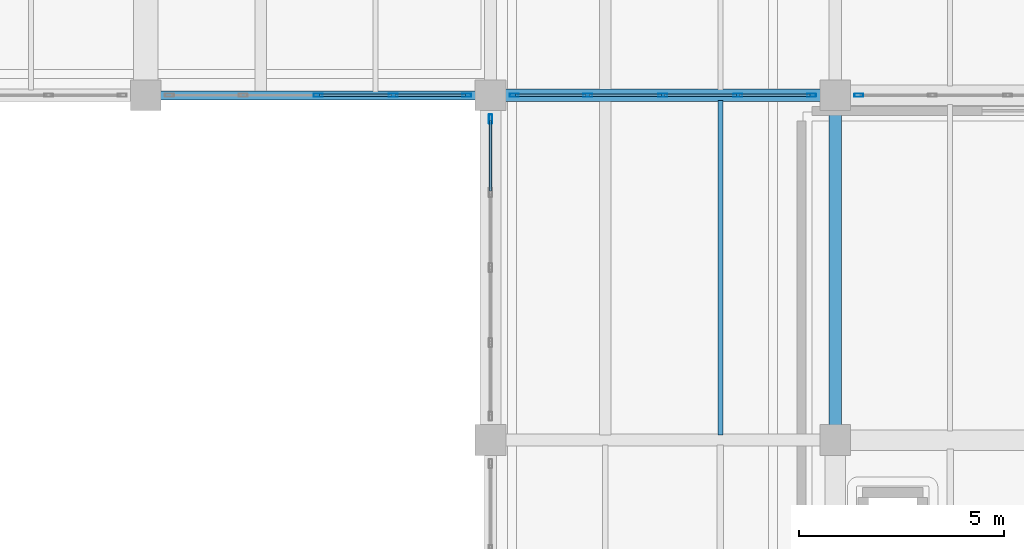
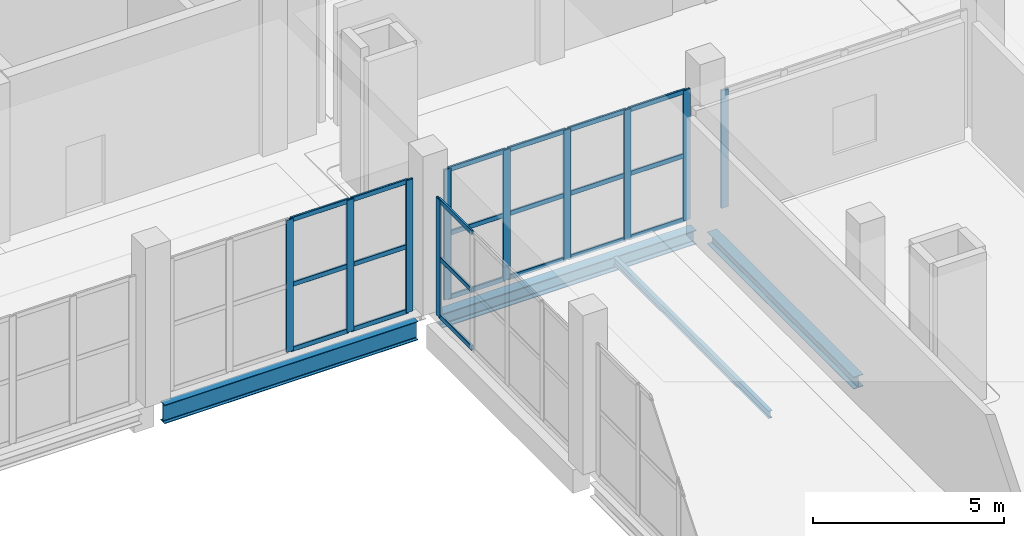
# One storey, part 23 of 66: 31 members, 4 beams, 4 elements without a shape of their own.
"""IFC4 building model written with IfcOpenShell, lengths in metres."""

from ifc_helpers import new_model, si_unit, direction, frame, origin, origin_2d, place, context, subcontext, project, spatial, hollow_rectangle, i_section, extrude, material, layer, layer_set, material_profile, profile_set, type_object, element, aggregate, save


model = new_model("IFC4")

# Units and contexts
model_context = context("Model", 3, precision=1e-05, world=origin(), true_north=direction((0.0, 1.0)))
body_context = subcontext(model_context, "Body", "Model", "MODEL_VIEW")
ifc_project = project(units=[si_unit("LENGTHUNIT", "METRE"), si_unit("AREAUNIT", "SQUARE_METRE"), si_unit("VOLUMEUNIT", "CUBIC_METRE"), si_unit("PLANEANGLEUNIT", "RADIAN"), si_unit("MASSUNIT", "GRAM", prefix="KILO")], contexts=[model_context])

# Site, building, storey
site_placement = place(None, origin())
site = spatial("IfcSite", under=ifc_project, at=site_placement, CompositionType="ELEMENT")
building_placement = place(site_placement, origin())
building = spatial("IfcBuilding", under=site, at=building_placement, Name="Zulmaris Art Gallery", CompositionType="ELEMENT")
storey_placement = place(building_placement, frame((0.0, 0.0, 5.39990234375)))
storey = spatial("IfcBuildingStorey", under=building, at=storey_placement, Name="L01", CompositionType="ELEMENT", Elevation=5.39990234375)

# Beams
ifc_material_1 = material(Name="Steel S355J2", Category="steel")
ifc_material_profile_1 = material_profile(ifc_material_1, i_section(OverallWidth=0.219970703125, OverallDepth=0.60009765625, WebThickness=0.011962890625, FlangeThickness=0.01904296875, FilletRadius=0.02392578125, at=origin_2d()), Name="IPE 600")
ifc_profile_set_1 = profile_set([ifc_material_profile_1], Name="Steel S355J2")
beam_type_1 = type_object("IfcBeamType", Name="BEAM-BM07", PredefinedType="BEAM", material=ifc_profile_set_1)
beam_1_placement = place(storey_placement, frame((116.760009765625, 58.800048828125, -0.6298828125), z_axis=(1.0, 0.0, 0.0), x_axis=(0.0, 1.0, 0.0)))
element("IfcBeam", 1, at=beam_1_placement, inside=storey, type_object=beam_type_1, Name="L01 X-girder (116.4..124.8, y=58.8)", PredefinedType="BEAM", context=body_context, shape_type="SweptSolid", body=[
    extrude(i_section(OverallWidth=0.219970703125, OverallDepth=0.60009765625, WebThickness=0.011962890625, FlangeThickness=0.01904296875, FilletRadius=0.02392578125, at=origin_2d()), origin(), (0.0, 0.0, 1.0), 7.679931640625),
])
ifc_material_profile_2 = material_profile(ifc_material_1, i_section(OverallWidth=0.300048828125, OverallDepth=0.389892578125, WebThickness=0.010986328125, FlangeThickness=0.01904296875, FilletRadius=0.027099609375, at=origin_2d()), Name="HEA 400")
ifc_profile_set_2 = profile_set([ifc_material_profile_2], Name="Steel S355J2")
beam_type_2 = type_object("IfcBeamType", Name="BEAM-BM09", PredefinedType="BEAM", material=ifc_profile_set_2)
beam_2_placement = place(storey_placement, frame((133.199951171875, 50.760009765625, -0.52490234375), z_axis=(0.0, 1.0, 0.0), x_axis=(-1.0, 0.0, 0.0)))
element("IfcBeam", 2, at=beam_2_placement, inside=storey, type_object=beam_type_2, Name="L01 Y-girder (x=133.2, 50.4..58.8)", PredefinedType="BEAM", context=body_context, shape_type="SweptSolid", body=[
    extrude(i_section(OverallWidth=0.300048828125, OverallDepth=0.389892578125, WebThickness=0.010986328125, FlangeThickness=0.01904296875, FilletRadius=0.027099609375, at=origin_2d()), origin(), (0.0, 0.0, 1.0), 7.679931640625),
])
ifc_material_profile_3 = material_profile(ifc_material_1, i_section(OverallWidth=0.300048828125, OverallDepth=0.449951171875, WebThickness=0.013916015625, FlangeThickness=0.02587890625, FilletRadius=0.027099609375, at=origin_2d()), Name="HEB 450")
ifc_profile_set_3 = profile_set([ifc_material_profile_3], Name="Steel S355J2")
beam_type_3 = type_object("IfcBeamType", Name="BEAM-BM13", PredefinedType="BEAM", material=ifc_profile_set_3)
beam_3_placement = place(storey_placement, frame((125.159912109375, 58.800048828125, -0.554931640625), z_axis=(1.0, 0.0, 0.0), x_axis=(0.0, 1.0, 0.0)))
element("IfcBeam", 3, at=beam_3_placement, inside=storey, type_object=beam_type_3, Name="L01 X-girder (124.8..133.2, y=58.8)", PredefinedType="BEAM", context=body_context, shape_type="SweptSolid", body=[
    extrude(i_section(OverallWidth=0.300048828125, OverallDepth=0.449951171875, WebThickness=0.013916015625, FlangeThickness=0.02587890625, FilletRadius=0.027099609375, at=origin_2d()), origin(), (0.0, 0.0, 1.0), 7.68017578125),
])
ifc_material_profile_4 = material_profile(ifc_material_1, i_section(OverallWidth=0.1201171875, OverallDepth=0.239990234375, WebThickness=0.006103515625, FlangeThickness=0.009765625, FilletRadius=0.014892578125, at=origin_2d()), Name="IPE 240")
ifc_profile_set_4 = profile_set([ifc_material_profile_4], Name="Steel S355J2")
beam_type_4 = type_object("IfcBeamType", Name="BEAM-JS01", PredefinedType="JOIST", material=ifc_profile_set_4)
beam_4_placement = place(storey_placement, frame((130.39990234375, 50.52490234375, -0.449951171875), z_axis=(0.0, 1.0, 0.0), x_axis=(-1.0, 0.0, 0.0)))
element("IfcBeam", 4, at=beam_4_placement, inside=storey, type_object=beam_type_4, Name="L01 secondary joist at x=130.4", PredefinedType="JOIST", context=body_context, shape_type="SweptSolid", body=[
    extrude(i_section(OverallWidth=0.1201171875, OverallDepth=0.239990234375, WebThickness=0.006103515625, FlangeThickness=0.009765625, FilletRadius=0.014892578125, at=origin_2d()), origin(), (0.0, 0.0, 1.0), 8.150146484375),
])

# Curtain wall, members
ifc_material_2 = material(Name="Unitised Low-E Gallery Curtain Wall", Category="aluminium")
ifc_layer = layer(ifc_material_2, 0.179931640625)
ifc_layer_set = layer_set([ifc_layer], Name="Unitised Low-E Gallery Curtain Wall")
curtain_wall_type = type_object("IfcCurtainWallType", Name="CW-CW01", PredefinedType="NOTDEFINED", material=ifc_layer_set)
curtain_wall_1_placement = place(storey_placement, origin())
curtain_wall_1 = element("IfcCurtainWall", 5, at=curtain_wall_1_placement, inside=storey, type_object=curtain_wall_type, Name="L01 curtain wall 97", PredefinedType="NOTDEFINED")
ifc_material_3 = material(Name="Anodised Bronze Aluminium", Category="aluminium")
ifc_material_profile_5 = material_profile(ifc_material_3, hollow_rectangle(XDim=0.074951171875, YDim=0.219970703125, WallThickness=0.0048828125, InnerFilletRadius=0.007568359375, OuterFilletRadius=0.012451171875, at=origin_2d()), Name="ALU 75x220x5")
ifc_profile_set_5 = profile_set([ifc_material_profile_5], Name="Anodised Bronze Aluminium")
member_type_1 = type_object("IfcMemberType", Name="CWMUL-02", PredefinedType="MULLION", material=ifc_profile_set_5)
member_1_placement = place(storey_placement, frame((120.60009765625, 58.800048828125, 0.0), z_axis=(0.0, 0.0, 1.0), x_axis=(0.0, 1.0, 0.0)))
member_1 = element("IfcMember", 6, at=member_1_placement, type_object=member_type_1, Name="CW01 mullion 3", PredefinedType="MULLION", context=body_context, shape_type="SweptSolid", body=[
    extrude(hollow_rectangle(XDim=0.074951171875, YDim=0.219970703125, WallThickness=0.0048828125, InnerFilletRadius=0.007568359375, OuterFilletRadius=0.012451171875, at=origin_2d()), origin(), (0.0, 0.0, 1.0), 4.22998046875),
])
member_2_placement = place(storey_placement, frame((122.429931640625, 58.800048828125, 0.0), z_axis=(0.0, 0.0, 1.0), x_axis=(0.0, 1.0, 0.0)))
member_2 = element("IfcMember", 7, at=member_2_placement, type_object=member_type_1, Name="CW01 mullion 4", PredefinedType="MULLION", context=body_context, shape_type="SweptSolid", body=[
    extrude(hollow_rectangle(XDim=0.074951171875, YDim=0.219970703125, WallThickness=0.0048828125, InnerFilletRadius=0.007568359375, OuterFilletRadius=0.012451171875, at=origin_2d()), origin(), (0.0, 0.0, 1.0), 4.22998046875),
])
member_3_placement = place(storey_placement, frame((124.222412109375, 58.800048828125, 0.0), z_axis=(0.0, 0.0, 1.0), x_axis=(0.0, 1.0, 0.0)))
member_3 = element("IfcMember", 8, at=member_3_placement, type_object=member_type_1, Name="CW01 mullion 5", PredefinedType="MULLION", context=body_context, shape_type="SweptSolid", body=[
    extrude(hollow_rectangle(XDim=0.074951171875, YDim=0.219970703125, WallThickness=0.0048828125, InnerFilletRadius=0.007568359375, OuterFilletRadius=0.012451171875, at=origin_2d()), origin(), (0.0, 0.0, 1.0), 4.22998046875),
])

curtain_wall_2_placement = place(storey_placement, origin())
curtain_wall_2 = element("IfcCurtainWall", 9, at=curtain_wall_2_placement, inside=storey, type_object=curtain_wall_type, Name="L01 curtain wall 98", PredefinedType="NOTDEFINED")
member_4_placement = place(storey_placement, frame((125.37744140625, 58.800048828125, 0.0), z_axis=(0.0, 0.0, 1.0), x_axis=(0.0, 1.0, 0.0)))
member_4 = element("IfcMember", 10, at=member_4_placement, type_object=member_type_1, Name="CW01 mullion 1", PredefinedType="MULLION", context=body_context, shape_type="SweptSolid", body=[
    extrude(hollow_rectangle(XDim=0.074951171875, YDim=0.219970703125, WallThickness=0.0048828125, InnerFilletRadius=0.007568359375, OuterFilletRadius=0.012451171875, at=origin_2d()), origin(), (0.0, 0.0, 1.0), 4.170166015625),
])
member_5_placement = place(storey_placement, frame((127.169921875, 58.800048828125, 0.0), z_axis=(0.0, 0.0, 1.0), x_axis=(0.0, 1.0, 0.0)))
member_5 = element("IfcMember", 11, at=member_5_placement, type_object=member_type_1, Name="CW01 mullion 2", PredefinedType="MULLION", context=body_context, shape_type="SweptSolid", body=[
    extrude(hollow_rectangle(XDim=0.074951171875, YDim=0.219970703125, WallThickness=0.0048828125, InnerFilletRadius=0.007568359375, OuterFilletRadius=0.012451171875, at=origin_2d()), origin(), (0.0, 0.0, 1.0), 4.170166015625),
])
member_6_placement = place(storey_placement, frame((129.0, 58.800048828125, 0.0), z_axis=(0.0, 0.0, 1.0), x_axis=(0.0, 1.0, 0.0)))
member_6 = element("IfcMember", 12, at=member_6_placement, type_object=member_type_1, Name="CW01 mullion 3", PredefinedType="MULLION", context=body_context, shape_type="SweptSolid", body=[
    extrude(hollow_rectangle(XDim=0.074951171875, YDim=0.219970703125, WallThickness=0.0048828125, InnerFilletRadius=0.007568359375, OuterFilletRadius=0.012451171875, at=origin_2d()), origin(), (0.0, 0.0, 1.0), 4.170166015625),
])
member_7_placement = place(storey_placement, frame((130.830078125, 58.800048828125, 0.0), z_axis=(0.0, 0.0, 1.0), x_axis=(0.0, 1.0, 0.0)))
member_7 = element("IfcMember", 13, at=member_7_placement, type_object=member_type_1, Name="CW01 mullion 4", PredefinedType="MULLION", context=body_context, shape_type="SweptSolid", body=[
    extrude(hollow_rectangle(XDim=0.074951171875, YDim=0.219970703125, WallThickness=0.0048828125, InnerFilletRadius=0.007568359375, OuterFilletRadius=0.012451171875, at=origin_2d()), origin(), (0.0, 0.0, 1.0), 4.170166015625),
])
member_8_placement = place(storey_placement, frame((132.62255859375, 58.800048828125, 0.0), z_axis=(0.0, 0.0, 1.0), x_axis=(0.0, 1.0, 0.0)))
member_8 = element("IfcMember", 14, at=member_8_placement, type_object=member_type_1, Name="CW01 mullion 5", PredefinedType="MULLION", context=body_context, shape_type="SweptSolid", body=[
    extrude(hollow_rectangle(XDim=0.074951171875, YDim=0.219970703125, WallThickness=0.0048828125, InnerFilletRadius=0.007568359375, OuterFilletRadius=0.012451171875, at=origin_2d()), origin(), (0.0, 0.0, 1.0), 4.170166015625),
])

# Curtain wall, member
curtain_wall_3_placement = place(storey_placement, origin())
curtain_wall_3 = element("IfcCurtainWall", 15, at=curtain_wall_3_placement, inside=storey, type_object=curtain_wall_type, Name="L01 curtain wall 99", PredefinedType="NOTDEFINED")
member_9_placement = place(storey_placement, frame((133.777587890625, 58.800048828125, 0.0), z_axis=(0.0, 0.0, 1.0), x_axis=(0.0, 1.0, 0.0)))
member_9 = element("IfcMember", 16, at=member_9_placement, type_object=member_type_1, Name="CW01 mullion 1", PredefinedType="MULLION", context=body_context, shape_type="SweptSolid", body=[
    extrude(hollow_rectangle(XDim=0.074951171875, YDim=0.219970703125, WallThickness=0.0048828125, InnerFilletRadius=0.007568359375, OuterFilletRadius=0.012451171875, at=origin_2d()), origin(), (0.0, 0.0, 1.0), 3.77001953125),
])
aggregate(curtain_wall_3, [member_9])

curtain_wall_4_placement = place(storey_placement, origin())
curtain_wall_4 = element("IfcCurtainWall", 17, at=curtain_wall_4_placement, inside=storey, type_object=curtain_wall_type, Name="L01 curtain wall 103", PredefinedType="NOTDEFINED")
member_10_placement = place(storey_placement, frame((124.800048828125, 58.222412109375, 0.0), z_axis=(0.0, 0.0, 1.0), x_axis=(-1.0, 0.0, 0.0)))
member_10 = element("IfcMember", 18, at=member_10_placement, type_object=member_type_1, Name="CW01 mullion 5", PredefinedType="MULLION", context=body_context, shape_type="SweptSolid", body=[
    extrude(hollow_rectangle(XDim=0.074951171875, YDim=0.219970703125, WallThickness=0.0048828125, InnerFilletRadius=0.007568359375, OuterFilletRadius=0.012451171875, at=origin_2d()), origin(), (0.0, 0.0, 1.0), 3.77001953125),
])

# Member
ifc_material_profile_6 = material_profile(ifc_material_3, hollow_rectangle(XDim=0.06494140625, YDim=0.14990234375, WallThickness=0.00390625, InnerFilletRadius=0.006103515625, OuterFilletRadius=0.010009765625, at=origin_2d()), Name="ALU 65x150x4")
ifc_profile_set_6 = profile_set([ifc_material_profile_6], Name="Anodised Bronze Aluminium")
member_type_2 = type_object("IfcMemberType", Name="CWTRN-01", PredefinedType="USERDEFINED", material=ifc_profile_set_6)
member_11_placement = place(storey_placement, frame((120.637451171875, 58.800048828125, 0.03759765625), z_axis=(1.0, 0.0, 0.0), x_axis=(0.0, 1.0, 0.0)))
member_11 = element("IfcMember", 19, at=member_11_placement, type_object=member_type_2, Name="CW01 transom 3.1", ObjectType="TRANSOM", PredefinedType="USERDEFINED", context=body_context, shape_type="SweptSolid", body=[
    extrude(hollow_rectangle(XDim=0.06494140625, YDim=0.14990234375, WallThickness=0.00390625, InnerFilletRadius=0.006103515625, OuterFilletRadius=0.010009765625, at=origin_2d()), origin(), (0.0, 0.0, 1.0), 1.755126953125),
])

member_12_placement = place(storey_placement, frame((120.637451171875, 58.800048828125, 2.114990234375), z_axis=(1.0, 0.0, 0.0), x_axis=(0.0, 1.0, 0.0)))
member_12 = element("IfcMember", 20, at=member_12_placement, type_object=member_type_2, Name="CW01 transom 3.2", ObjectType="TRANSOM", PredefinedType="USERDEFINED", context=body_context, shape_type="SweptSolid", body=[
    extrude(hollow_rectangle(XDim=0.06494140625, YDim=0.14990234375, WallThickness=0.00390625, InnerFilletRadius=0.006103515625, OuterFilletRadius=0.010009765625, at=origin_2d()), origin(), (0.0, 0.0, 1.0), 1.755126953125),
])

member_13_placement = place(storey_placement, frame((120.637451171875, 58.800048828125, 4.192626953125), z_axis=(1.0, 0.0, 0.0), x_axis=(0.0, 1.0, 0.0)))
member_13 = element("IfcMember", 21, at=member_13_placement, type_object=member_type_2, Name="CW01 transom 3.3", ObjectType="TRANSOM", PredefinedType="USERDEFINED", context=body_context, shape_type="SweptSolid", body=[
    extrude(hollow_rectangle(XDim=0.06494140625, YDim=0.14990234375, WallThickness=0.00390625, InnerFilletRadius=0.006103515625, OuterFilletRadius=0.010009765625, at=origin_2d()), origin(), (0.0, 0.0, 1.0), 1.755126953125),
])

member_14_placement = place(storey_placement, frame((122.467529296875, 58.800048828125, 0.03759765625), z_axis=(1.0, 0.0, 0.0), x_axis=(0.0, 1.0, 0.0)))
member_14 = element("IfcMember", 22, at=member_14_placement, type_object=member_type_2, Name="CW01 transom 4.1", ObjectType="TRANSOM", PredefinedType="USERDEFINED", context=body_context, shape_type="SweptSolid", body=[
    extrude(hollow_rectangle(XDim=0.06494140625, YDim=0.14990234375, WallThickness=0.00390625, InnerFilletRadius=0.006103515625, OuterFilletRadius=0.010009765625, at=origin_2d()), origin(), (0.0, 0.0, 1.0), 1.717529296875),
])

member_15_placement = place(storey_placement, frame((122.467529296875, 58.800048828125, 2.114990234375), z_axis=(1.0, 0.0, 0.0), x_axis=(0.0, 1.0, 0.0)))
member_15 = element("IfcMember", 23, at=member_15_placement, type_object=member_type_2, Name="CW01 transom 4.2", ObjectType="TRANSOM", PredefinedType="USERDEFINED", context=body_context, shape_type="SweptSolid", body=[
    extrude(hollow_rectangle(XDim=0.06494140625, YDim=0.14990234375, WallThickness=0.00390625, InnerFilletRadius=0.006103515625, OuterFilletRadius=0.010009765625, at=origin_2d()), origin(), (0.0, 0.0, 1.0), 1.717529296875),
])

member_16_placement = place(storey_placement, frame((122.467529296875, 58.800048828125, 4.192626953125), z_axis=(1.0, 0.0, 0.0), x_axis=(0.0, 1.0, 0.0)))
member_16 = element("IfcMember", 24, at=member_16_placement, type_object=member_type_2, Name="CW01 transom 4.3", ObjectType="TRANSOM", PredefinedType="USERDEFINED", context=body_context, shape_type="SweptSolid", body=[
    extrude(hollow_rectangle(XDim=0.06494140625, YDim=0.14990234375, WallThickness=0.00390625, InnerFilletRadius=0.006103515625, OuterFilletRadius=0.010009765625, at=origin_2d()), origin(), (0.0, 0.0, 1.0), 1.717529296875),
])

aggregate(curtain_wall_1, [member_1, member_2, member_3, member_11, member_12, member_13, member_14, member_15, member_16])

member_17_placement = place(storey_placement, frame((125.4150390625, 58.800048828125, 0.03759765625), z_axis=(1.0, 0.0, 0.0), x_axis=(0.0, 1.0, 0.0)))
member_17 = element("IfcMember", 25, at=member_17_placement, type_object=member_type_2, Name="CW01 transom 1.1", ObjectType="TRANSOM", PredefinedType="USERDEFINED", context=body_context, shape_type="SweptSolid", body=[
    extrude(hollow_rectangle(XDim=0.06494140625, YDim=0.14990234375, WallThickness=0.00390625, InnerFilletRadius=0.006103515625, OuterFilletRadius=0.010009765625, at=origin_2d()), origin(), (0.0, 0.0, 1.0), 1.717529296875),
])

member_18_placement = place(storey_placement, frame((125.4150390625, 58.800048828125, 2.085205078125), z_axis=(1.0, 0.0, 0.0), x_axis=(0.0, 1.0, 0.0)))
member_18 = element("IfcMember", 26, at=member_18_placement, type_object=member_type_2, Name="CW01 transom 1.2", ObjectType="TRANSOM", PredefinedType="USERDEFINED", context=body_context, shape_type="SweptSolid", body=[
    extrude(hollow_rectangle(XDim=0.06494140625, YDim=0.14990234375, WallThickness=0.00390625, InnerFilletRadius=0.006103515625, OuterFilletRadius=0.010009765625, at=origin_2d()), origin(), (0.0, 0.0, 1.0), 1.717529296875),
])

member_19_placement = place(storey_placement, frame((125.4150390625, 58.800048828125, 4.132568359375), z_axis=(1.0, 0.0, 0.0), x_axis=(0.0, 1.0, 0.0)))
member_19 = element("IfcMember", 27, at=member_19_placement, type_object=member_type_2, Name="CW01 transom 1.3", ObjectType="TRANSOM", PredefinedType="USERDEFINED", context=body_context, shape_type="SweptSolid", body=[
    extrude(hollow_rectangle(XDim=0.06494140625, YDim=0.14990234375, WallThickness=0.00390625, InnerFilletRadius=0.006103515625, OuterFilletRadius=0.010009765625, at=origin_2d()), origin(), (0.0, 0.0, 1.0), 1.717529296875),
])

member_20_placement = place(storey_placement, frame((127.20751953125, 58.800048828125, 0.03759765625), z_axis=(1.0, 0.0, 0.0), x_axis=(0.0, 1.0, 0.0)))
member_20 = element("IfcMember", 28, at=member_20_placement, type_object=member_type_2, Name="CW01 transom 2.1", ObjectType="TRANSOM", PredefinedType="USERDEFINED", context=body_context, shape_type="SweptSolid", body=[
    extrude(hollow_rectangle(XDim=0.06494140625, YDim=0.14990234375, WallThickness=0.00390625, InnerFilletRadius=0.006103515625, OuterFilletRadius=0.010009765625, at=origin_2d()), origin(), (0.0, 0.0, 1.0), 1.7548828125),
])

member_21_placement = place(storey_placement, frame((127.20751953125, 58.800048828125, 2.085205078125), z_axis=(1.0, 0.0, 0.0), x_axis=(0.0, 1.0, 0.0)))
member_21 = element("IfcMember", 29, at=member_21_placement, type_object=member_type_2, Name="CW01 transom 2.2", ObjectType="TRANSOM", PredefinedType="USERDEFINED", context=body_context, shape_type="SweptSolid", body=[
    extrude(hollow_rectangle(XDim=0.06494140625, YDim=0.14990234375, WallThickness=0.00390625, InnerFilletRadius=0.006103515625, OuterFilletRadius=0.010009765625, at=origin_2d()), origin(), (0.0, 0.0, 1.0), 1.7548828125),
])

member_22_placement = place(storey_placement, frame((127.20751953125, 58.800048828125, 4.132568359375), z_axis=(1.0, 0.0, 0.0), x_axis=(0.0, 1.0, 0.0)))
member_22 = element("IfcMember", 30, at=member_22_placement, type_object=member_type_2, Name="CW01 transom 2.3", ObjectType="TRANSOM", PredefinedType="USERDEFINED", context=body_context, shape_type="SweptSolid", body=[
    extrude(hollow_rectangle(XDim=0.06494140625, YDim=0.14990234375, WallThickness=0.00390625, InnerFilletRadius=0.006103515625, OuterFilletRadius=0.010009765625, at=origin_2d()), origin(), (0.0, 0.0, 1.0), 1.7548828125),
])

member_23_placement = place(storey_placement, frame((129.03759765625, 58.800048828125, 0.03759765625), z_axis=(1.0, 0.0, 0.0), x_axis=(0.0, 1.0, 0.0)))
member_23 = element("IfcMember", 31, at=member_23_placement, type_object=member_type_2, Name="CW01 transom 3.1", ObjectType="TRANSOM", PredefinedType="USERDEFINED", context=body_context, shape_type="SweptSolid", body=[
    extrude(hollow_rectangle(XDim=0.06494140625, YDim=0.14990234375, WallThickness=0.00390625, InnerFilletRadius=0.006103515625, OuterFilletRadius=0.010009765625, at=origin_2d()), origin(), (0.0, 0.0, 1.0), 1.7548828125),
])

member_24_placement = place(storey_placement, frame((129.03759765625, 58.800048828125, 2.085205078125), z_axis=(1.0, 0.0, 0.0), x_axis=(0.0, 1.0, 0.0)))
member_24 = element("IfcMember", 32, at=member_24_placement, type_object=member_type_2, Name="CW01 transom 3.2", ObjectType="TRANSOM", PredefinedType="USERDEFINED", context=body_context, shape_type="SweptSolid", body=[
    extrude(hollow_rectangle(XDim=0.06494140625, YDim=0.14990234375, WallThickness=0.00390625, InnerFilletRadius=0.006103515625, OuterFilletRadius=0.010009765625, at=origin_2d()), origin(), (0.0, 0.0, 1.0), 1.7548828125),
])

member_25_placement = place(storey_placement, frame((129.03759765625, 58.800048828125, 4.132568359375), z_axis=(1.0, 0.0, 0.0), x_axis=(0.0, 1.0, 0.0)))
member_25 = element("IfcMember", 33, at=member_25_placement, type_object=member_type_2, Name="CW01 transom 3.3", ObjectType="TRANSOM", PredefinedType="USERDEFINED", context=body_context, shape_type="SweptSolid", body=[
    extrude(hollow_rectangle(XDim=0.06494140625, YDim=0.14990234375, WallThickness=0.00390625, InnerFilletRadius=0.006103515625, OuterFilletRadius=0.010009765625, at=origin_2d()), origin(), (0.0, 0.0, 1.0), 1.7548828125),
])

member_26_placement = place(storey_placement, frame((130.867431640625, 58.800048828125, 0.03759765625), z_axis=(1.0, 0.0, 0.0), x_axis=(0.0, 1.0, 0.0)))
member_26 = element("IfcMember", 34, at=member_26_placement, type_object=member_type_2, Name="CW01 transom 4.1", ObjectType="TRANSOM", PredefinedType="USERDEFINED", context=body_context, shape_type="SweptSolid", body=[
    extrude(hollow_rectangle(XDim=0.06494140625, YDim=0.14990234375, WallThickness=0.00390625, InnerFilletRadius=0.006103515625, OuterFilletRadius=0.010009765625, at=origin_2d()), origin(), (0.0, 0.0, 1.0), 1.717529296875),
])

member_27_placement = place(storey_placement, frame((130.867431640625, 58.800048828125, 2.085205078125), z_axis=(1.0, 0.0, 0.0), x_axis=(0.0, 1.0, 0.0)))
member_27 = element("IfcMember", 35, at=member_27_placement, type_object=member_type_2, Name="CW01 transom 4.2", ObjectType="TRANSOM", PredefinedType="USERDEFINED", context=body_context, shape_type="SweptSolid", body=[
    extrude(hollow_rectangle(XDim=0.06494140625, YDim=0.14990234375, WallThickness=0.00390625, InnerFilletRadius=0.006103515625, OuterFilletRadius=0.010009765625, at=origin_2d()), origin(), (0.0, 0.0, 1.0), 1.717529296875),
])

member_28_placement = place(storey_placement, frame((130.867431640625, 58.800048828125, 4.132568359375), z_axis=(1.0, 0.0, 0.0), x_axis=(0.0, 1.0, 0.0)))
member_28 = element("IfcMember", 36, at=member_28_placement, type_object=member_type_2, Name="CW01 transom 4.3", ObjectType="TRANSOM", PredefinedType="USERDEFINED", context=body_context, shape_type="SweptSolid", body=[
    extrude(hollow_rectangle(XDim=0.06494140625, YDim=0.14990234375, WallThickness=0.00390625, InnerFilletRadius=0.006103515625, OuterFilletRadius=0.010009765625, at=origin_2d()), origin(), (0.0, 0.0, 1.0), 1.717529296875),
])

aggregate(curtain_wall_2, [member_4, member_5, member_6, member_7, member_8, member_17, member_18, member_19, member_20, member_21, member_22, member_23, member_24, member_25, member_26, member_27, member_28])

member_29_placement = place(storey_placement, frame((124.800048828125, 56.467529296875, 0.03759765625), z_axis=(0.0, 1.0, 0.0), x_axis=(-1.0, 0.0, 0.0)))
member_29 = element("IfcMember", 37, at=member_29_placement, type_object=member_type_2, Name="CW01 transom 4.1", ObjectType="TRANSOM", PredefinedType="USERDEFINED", context=body_context, shape_type="SweptSolid", body=[
    extrude(hollow_rectangle(XDim=0.06494140625, YDim=0.14990234375, WallThickness=0.00390625, InnerFilletRadius=0.006103515625, OuterFilletRadius=0.010009765625, at=origin_2d()), origin(), (0.0, 0.0, 1.0), 1.717529296875),
])

member_30_placement = place(storey_placement, frame((124.800048828125, 56.467529296875, 1.885009765625), z_axis=(0.0, 1.0, 0.0), x_axis=(-1.0, 0.0, 0.0)))
member_30 = element("IfcMember", 38, at=member_30_placement, type_object=member_type_2, Name="CW01 transom 4.2", ObjectType="TRANSOM", PredefinedType="USERDEFINED", context=body_context, shape_type="SweptSolid", body=[
    extrude(hollow_rectangle(XDim=0.06494140625, YDim=0.14990234375, WallThickness=0.00390625, InnerFilletRadius=0.006103515625, OuterFilletRadius=0.010009765625, at=origin_2d()), origin(), (0.0, 0.0, 1.0), 1.717529296875),
])

member_31_placement = place(storey_placement, frame((124.800048828125, 56.467529296875, 3.732666015625), z_axis=(0.0, 1.0, 0.0), x_axis=(-1.0, 0.0, 0.0)))
member_31 = element("IfcMember", 39, at=member_31_placement, type_object=member_type_2, Name="CW01 transom 4.3", ObjectType="TRANSOM", PredefinedType="USERDEFINED", context=body_context, shape_type="SweptSolid", body=[
    extrude(hollow_rectangle(XDim=0.06494140625, YDim=0.14990234375, WallThickness=0.00390625, InnerFilletRadius=0.006103515625, OuterFilletRadius=0.010009765625, at=origin_2d()), origin(), (0.0, 0.0, 1.0), 1.717529296875),
])

aggregate(curtain_wall_4, [member_10, member_29, member_30, member_31])

save(model, "model.ifc")
